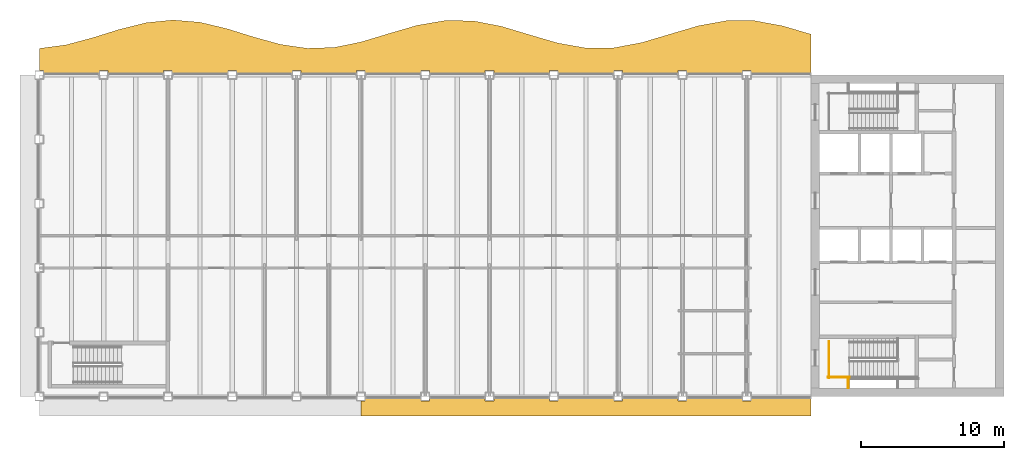
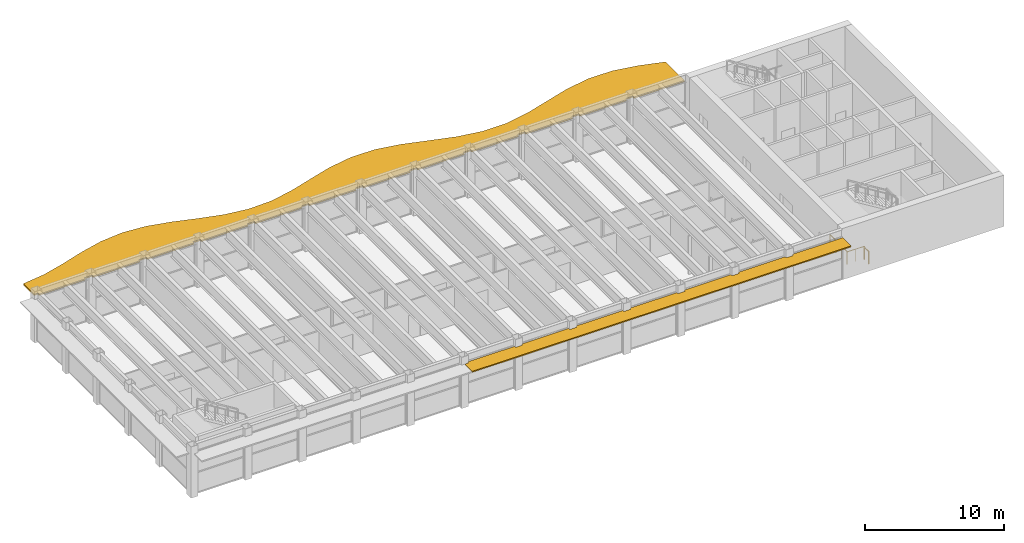
# One storey, part 13 of 14: 3 railings, 2 shading devices.
"""IFC4 building model written with IfcOpenShell, lengths in metres."""

from ifc_helpers import new_model, si_unit, direction, frame, origin, origin_2d, place, context, subcontext, project, spatial, polyline, rectangle, outline, extrude, material, layer, layer_set, type_object, element, save


model = new_model("IFC4")

# Units and contexts
model_context = context("Model", 3, precision=1e-05, world=origin(), true_north=direction((0.0, 1.0)))
body_context = subcontext(model_context, "Body", "Model", "MODEL_VIEW")
ifc_project = project(units=[si_unit("LENGTHUNIT", "METRE"), si_unit("AREAUNIT", "SQUARE_METRE"), si_unit("VOLUMEUNIT", "CUBIC_METRE"), si_unit("PLANEANGLEUNIT", "RADIAN"), si_unit("MASSUNIT", "GRAM", prefix="KILO")], contexts=[model_context])

# Site, building, storey
site_placement = place(None, origin())
site = spatial("IfcSite", under=ifc_project, at=site_placement, CompositionType="ELEMENT")
building_placement = place(site_placement, origin())
building = spatial("IfcBuilding", under=site, at=building_placement, Name="Sennacour Bend Tower", CompositionType="ELEMENT")
storey_placement = place(building_placement, frame((0.0, 0.0, 327.5)))
storey = spatial("IfcBuildingStorey", under=building, at=storey_placement, Name="L75", CompositionType="ELEMENT", Elevation=327.5)

# Railings
ifc_material_1 = material(Name="Stainless steel", Category="steel")
railing_type = type_object("IfcRailingType", Name="RL-GUARD-1100", PredefinedType="GUARDRAIL", material=ifc_material_1)
railing_1_placement = place(storey_placement, frame((55.199951171875, 1.35009765625, 0.0)))
element("IfcRailing", 1, at=railing_1_placement, inside=storey, type_object=railing_type, Name="L75 SA1 stair guard 6", PredefinedType="GUARDRAIL", context=body_context, shape_type="SweptSolid", body=[
    extrude(rectangle(XDim=0.048095703125, YDim=0.048095703125, at=origin_2d()), frame((0.0, 0.0, 1.076171875), z_axis=(1.0, 0.0, 0.0), x_axis=(0.0, 1.0, 0.0)), (0.0, 0.0, 1.0), 1.5),
    extrude(rectangle(XDim=0.0419921875, YDim=0.0419921875, at=origin_2d()), origin(), (0.0, 0.0, 1.0), 1.052001953125),
    extrude(rectangle(XDim=0.0419921875, YDim=0.0419921875, at=origin_2d()), frame((0.75, 0.0, 0.0)), (0.0, 0.0, 1.0), 1.052001953125),
    extrude(rectangle(XDim=0.0419921875, YDim=0.0419921875, at=origin_2d()), frame((1.5, 0.0, 0.0)), (0.0, 0.0, 1.0), 1.052001953125),
])
railing_2_placement = place(storey_placement, frame((55.25, 1.300048828125, 0.0)))
element("IfcRailing", 2, at=railing_2_placement, inside=storey, type_object=railing_type, Name="L75 SA1 stair guard 7", PredefinedType="GUARDRAIL", context=body_context, shape_type="SweptSolid", body=[
    extrude(rectangle(XDim=0.048095703125, YDim=0.048095703125, at=origin_2d()), frame((0.0, 0.0, 1.076171875), z_axis=(0.0, 1.0, 0.0), x_axis=(-1.0, 0.0, 0.0)), (0.0, 0.0, 1.0), 2.550048828125),
    extrude(rectangle(XDim=0.0419921875, YDim=0.0419921875, at=origin_2d()), origin(), (0.0, 0.0, 1.0), 1.052001953125),
    extrude(rectangle(XDim=0.0419921875, YDim=0.0419921875, at=origin_2d()), frame((0.0, 0.85009765625, 0.0)), (0.0, 0.0, 1.0), 1.052001953125),
    extrude(rectangle(XDim=0.0419921875, YDim=0.0419921875, at=origin_2d()), frame((0.0, 1.699951171875, 0.0)), (0.0, 0.0, 1.0), 1.052001953125),
    extrude(rectangle(XDim=0.0419921875, YDim=0.0419921875, at=origin_2d()), frame((0.0, 2.550048828125, 0.0)), (0.0, 0.0, 1.0), 1.052001953125),
])
railing_3_placement = place(storey_placement, frame((56.60009765625, 1.25, 0.0)))
element("IfcRailing", 3, at=railing_3_placement, inside=storey, type_object=railing_type, Name="L75 SA1 landing edge guard 162", PredefinedType="GUARDRAIL", context=body_context, shape_type="SweptSolid", body=[
    extrude(rectangle(XDim=0.048095703125, YDim=0.048095703125, at=origin_2d()), frame((0.0, 0.0, 1.076171875), z_axis=(0.0, -1.0, 0.0), x_axis=(1.0, 0.0, 0.0)), (0.0, 0.0, 1.0), 0.64990234375),
    extrude(rectangle(XDim=0.0419921875, YDim=0.0419921875, at=origin_2d()), origin(), (0.0, 0.0, 1.0), 1.052001953125),
    extrude(rectangle(XDim=0.0419921875, YDim=0.0419921875, at=origin_2d()), frame((0.0, -0.64990234375, 0.0)), (0.0, 0.0, 1.0), 1.052001953125),
])

# Shading devices
ifc_material_2 = material(Name="Bronze anodised aluminium", Category="aluminium")
ifc_layer_1 = layer(ifc_material_2, 0.10009765625, Name="Bronze anodised aluminium", Category="aluminium")
ifc_layer_set_1 = layer_set([ifc_layer_1], Name="Bronze anodised aluminium")
shading_device_type_1 = type_object("IfcShadingDeviceType", Name="SUNSHADE BAND STRAIGHT", PredefinedType="USERDEFINED", material=ifc_layer_set_1)
shading_device_1_placement = place(storey_placement, frame((0.0, 0.0, 3.572021484375)))
element("IfcShadingDevice", 4, at=shading_device_1_placement, inside=storey, type_object=shading_device_type_1, Name="Sunshade band L75 A outer face", ObjectType="SUNSHADE", PredefinedType="USERDEFINED", context=body_context, shape_type="SweptSolid", body=[
    extrude(outline(polyline([(26.699951171875, -0.14990234375), (26.699951171875, -0.300048828125), (27.300048828125, -0.300048828125), (27.300048828125, -0.14990234375), (31.199951171875, -0.14990234375), (31.199951171875, -0.300048828125), (31.800048828125, -0.300048828125), (31.800048828125, -0.14990234375), (35.699951171875, -0.14990234375), (35.699951171875, -0.300048828125), (36.300048828125, -0.300048828125), (36.300048828125, -0.14990234375), (40.199951171875, -0.14990234375), (40.199951171875, -0.300048828125), (40.800048828125, -0.300048828125), (40.800048828125, -0.14990234375), (44.699951171875, -0.14990234375), (44.699951171875, -0.300048828125), (45.300048828125, -0.300048828125), (45.300048828125, -0.14990234375), (49.199951171875, -0.14990234375), (49.199951171875, -0.300048828125), (49.800048828125, -0.300048828125), (49.800048828125, -0.14990234375), (54.0, -0.14990234375), (54.0, -1.35009765625), (22.5, -1.35009765625), (22.5, -0.300048828125), (22.800048828125, -0.300048828125), (22.800048828125, -0.14990234375), (26.699951171875, -0.14990234375)])), origin(), (0.0, 0.0, 1.0), 0.10009765625),
])
ifc_layer_2 = layer(ifc_material_2, 0.1201171875, Name="Bronze anodised aluminium", Category="aluminium")
ifc_layer_set_2 = layer_set([ifc_layer_2], Name="Bronze anodised aluminium")
shading_device_type_2 = type_object("IfcShadingDeviceType", Name="SUNSHADE BAND WAVE", PredefinedType="USERDEFINED", material=ifc_layer_set_2)
shading_device_2_placement = place(storey_placement, frame((0.0, 0.0, 3.552001953125)))
element("IfcShadingDevice", 5, at=shading_device_2_placement, inside=storey, type_object=shading_device_type_2, Name="Sunshade band L75 concave faces", ObjectType="SUNSHADE", PredefinedType="USERDEFINED", context=body_context, shape_type="SweptSolid", body=[
    extrude(outline(polyline([(54.0, 22.64990234375), (49.800048828125, 22.64990234375), (49.800048828125, 22.800048828125), (49.199951171875, 22.800048828125), (49.199951171875, 22.64990234375), (45.300048828125, 22.64990234375), (45.300048828125, 22.800048828125), (44.699951171875, 22.800048828125), (44.699951171875, 22.64990234375), (40.800048828125, 22.64990234375), (40.800048828125, 22.800048828125), (40.199951171875, 22.800048828125), (40.199951171875, 22.64990234375), (36.300048828125, 22.64990234375), (36.300048828125, 22.800048828125), (35.699951171875, 22.800048828125), (35.699951171875, 22.64990234375), (31.800048828125, 22.64990234375), (31.800048828125, 22.800048828125), (31.199951171875, 22.800048828125), (31.199951171875, 22.64990234375), (27.300048828125, 22.64990234375), (27.300048828125, 22.800048828125), (26.699951171875, 22.800048828125), (26.699951171875, 22.64990234375), (22.800048828125, 22.64990234375), (22.800048828125, 22.800048828125), (22.199951171875, 22.800048828125), (22.199951171875, 22.64990234375), (18.300048828125, 22.64990234375), (18.300048828125, 22.800048828125), (17.699951171875, 22.800048828125), (17.699951171875, 22.64990234375), (13.800048828125, 22.64990234375), (13.800048828125, 22.800048828125), (13.199951171875, 22.800048828125), (13.199951171875, 22.64990234375), (9.300048828125, 22.64990234375), (9.300048828125, 22.800048828125), (8.699951171875, 22.800048828125), (8.699951171875, 22.64990234375), (4.800048828125, 22.64990234375), (4.800048828125, 22.800048828125), (4.199951171875, 22.800048828125), (4.199951171875, 22.64990234375), (0.300048828125, 22.64990234375), (0.300048828125, 22.800048828125), (0.0, 22.800048828125), (0.0, 24.360107421875), (1.875, 24.610107421875), (3.75, 25.1142578125), (5.625, 25.699462890625), (7.5, 26.16455078125), (9.375, 26.349609375), (11.25, 26.19140625), (13.125, 25.74365234375), (15.0, 25.16064453125), (16.875, 24.642822265625), (18.75, 24.3681640625), (20.625, 24.4306640625), (22.5, 24.809326171875), (24.46875, 25.403564453125), (26.4375, 25.9775390625), (28.40625, 26.314453125), (30.375, 26.286865234375), (32.34375, 25.905517578125), (34.3125, 25.314208984375), (36.28125, 24.736572265625), (38.25, 24.390380859375), (40.21875, 24.406982421875), (42.1875, 24.77978515625), (44.15625, 25.367919921875), (46.125, 25.94921875), (48.09375, 26.30419921875), (50.0625, 26.298828125), (52.03125, 25.934814453125), (54.0, 25.35009765625), (54.0, 22.64990234375)])), origin(), (0.0, 0.0, 1.0), 0.1201171875),
])

save(model, "model.ifc")
